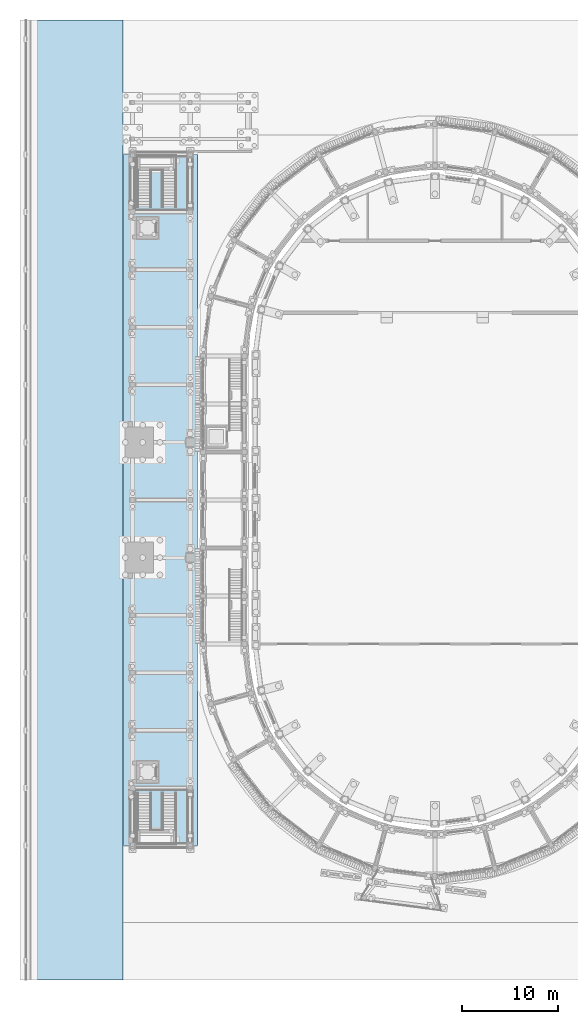
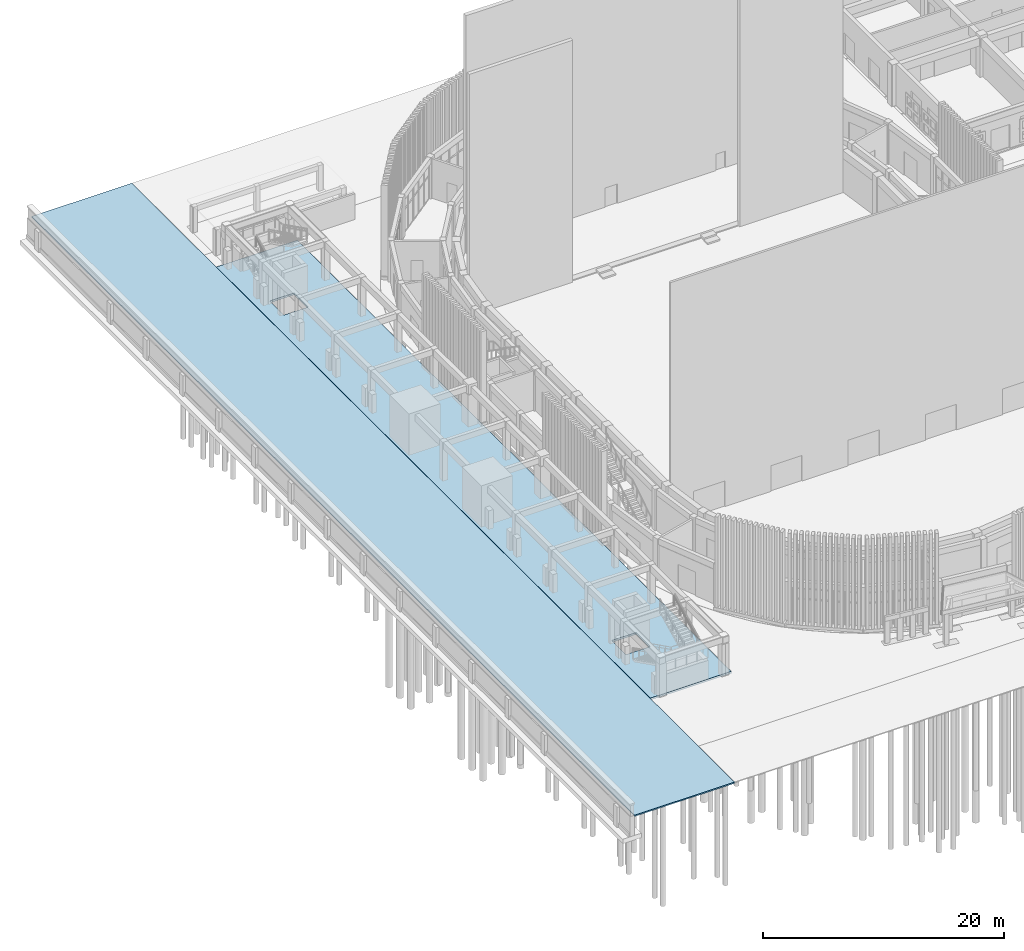
# One storey, part 48 of 112: 2 slabs.
"""IFC4 building model written with IfcOpenShell, lengths in metres."""

from ifc_helpers import new_model, si_unit, direction, frame, origin, place, context, subcontext, project, spatial, polyline, outline, extrude, material, layer, layer_set, type_object, element, save


model = new_model("IFC4")

# Units and contexts
model_context = context("Model", 3, precision=1e-05, world=origin(), true_north=direction((0.0, 1.0)))
body_context = subcontext(model_context, "Body", "Model", "MODEL_VIEW")
ifc_project = project(units=[si_unit("LENGTHUNIT", "METRE"), si_unit("AREAUNIT", "SQUARE_METRE"), si_unit("VOLUMEUNIT", "CUBIC_METRE"), si_unit("PLANEANGLEUNIT", "RADIAN"), si_unit("MASSUNIT", "GRAM", prefix="KILO")], contexts=[model_context])

# Site, building, storey
site_placement = place(None, origin())
site = spatial("IfcSite", under=ifc_project, at=site_placement, CompositionType="ELEMENT")
building_placement = place(site_placement, origin())
building = spatial("IfcBuilding", under=site, at=building_placement, Name="Wasatch Bagh Community Centre", CompositionType="ELEMENT")
storey_placement = place(building_placement, origin())
storey = spatial("IfcBuildingStorey", under=building, at=storey_placement, Name="L00", CompositionType="ELEMENT", Elevation=0.0)

# Slabs
ifc_material = material(Name="Concrete C30", Category="concrete")
ifc_layer_1 = layer(ifc_material, 0.199951171875)
ifc_layer_set_1 = layer_set([ifc_layer_1], Name="Concrete C30")
slab_type_1 = type_object("IfcSlabType", Name="CT-S0", PredefinedType="BASESLAB", material=ifc_layer_set_1)
slab_1_placement = place(storey_placement, frame((0.0, 0.0, -0.199951171875)))
element("IfcSlab", 1, at=slab_1_placement, inside=storey, type_object=slab_type_1, Name="CT-S0 arcade floor", PredefinedType="BASESLAB", context=body_context, shape_type="SweptSolid", body=[
    extrude(outline(polyline([(3.5, 14.0), (3.5, 86.0), (11.25, 86.0), (11.25, 14.0), (3.5, 14.0)]), holes=[polyline([(7.219970703125, 20.47998046875), (7.219970703125, 22.820068359375), (4.8798828125, 22.820068359375), (4.8798828125, 20.47998046875), (7.219970703125, 20.47998046875)]), polyline([(7.219970703125, 77.179931640625), (7.219970703125, 79.52001953125), (4.8798828125, 79.52001953125), (4.8798828125, 77.179931640625), (7.219970703125, 77.179931640625)])]), origin(), (0.0, 0.0, 1.0), 0.199951171875),
])
ifc_layer_2 = layer(ifc_material, 0.1298828125)
ifc_layer_set_2 = layer_set([ifc_layer_2], Name="Concrete C30")
slab_type_2 = type_object("IfcSlabType", Name="SITE-P11", PredefinedType="FLOOR", material=ifc_layer_set_2)
slab_2_placement = place(storey_placement, frame((0.0, 0.0, -0.1298828125)))
element("IfcSlab", 2, at=slab_2_placement, inside=storey, type_object=slab_type_2, Name="Paving - Promenade deck", PredefinedType="FLOOR", context=body_context, shape_type="SweptSolid", body=[
    extrude(outline(polyline([(-6.10009765625, 0.0), (-6.10009765625, 100.0), (3.47998046875, 100.0), (3.47998046875, 0.0), (-6.10009765625, 0.0)])), origin(), (0.0, 0.0, 1.0), 0.1298828125),
])

save(model, "model.ifc")
